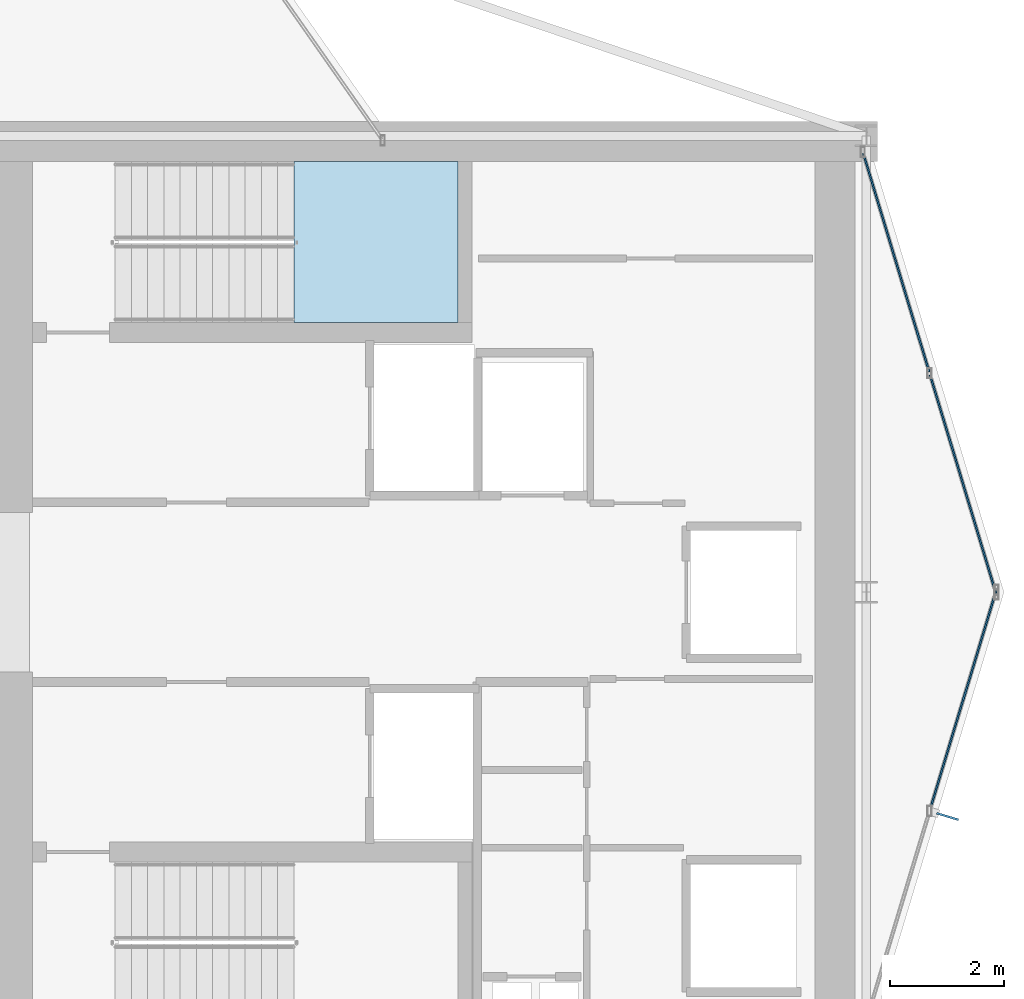
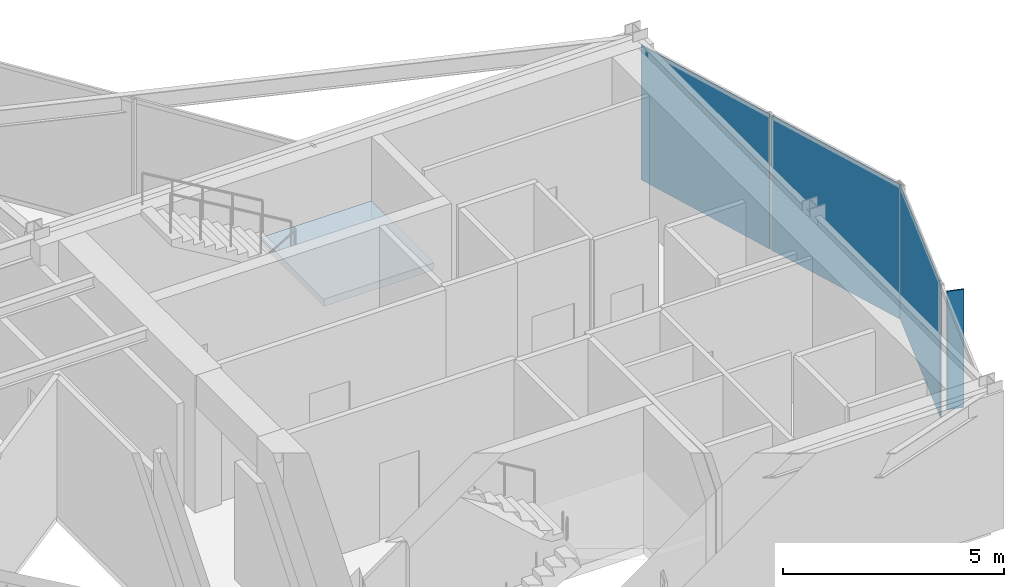
# One storey, part 20 of 24: 4 plates, 1 slab, 3 elements without a shape of their own.
"""IFC4 building model written with IfcOpenShell, lengths in metres."""

from ifc_helpers import new_model, si_unit, direction, frame, origin, origin_2d, place, context, subcontext, project, spatial, polyline, rectangle, outline, extrude, material, layer, layer_set, type_object, element, aggregate, save


model = new_model("IFC4")

# Units and contexts
model_context = context("Model", 3, precision=1e-05, world=origin(), true_north=direction((0.0, 1.0)))
body_context = subcontext(model_context, "Body", "Model", "MODEL_VIEW")
ifc_project = project(units=[si_unit("LENGTHUNIT", "METRE"), si_unit("AREAUNIT", "SQUARE_METRE"), si_unit("VOLUMEUNIT", "CUBIC_METRE"), si_unit("PLANEANGLEUNIT", "RADIAN"), si_unit("MASSUNIT", "GRAM", prefix="KILO")], contexts=[model_context])

# Site, building, storey
site_placement = place(None, origin())
site = spatial("IfcSite", under=ifc_project, at=site_placement, CompositionType="ELEMENT")
building_placement = place(site_placement, origin())
building = spatial("IfcBuilding", under=site, at=building_placement, Name="Veymaron Broadcast Tower", CompositionType="ELEMENT")
storey_placement = place(building_placement, frame((0.0, 0.0, 220.199951171875)))
storey = spatial("IfcBuildingStorey", under=building, at=storey_placement, Name="L51", CompositionType="ELEMENT", Elevation=220.199951171875)

# Curtain wall, plate
ifc_material_1 = material(Name="Anodised aluminium AA 6063-T6 and laminated low-E dark glass", Category="aluminium")
ifc_layer_1 = layer(ifc_material_1, 0.179931640625)
ifc_layer_set_1 = layer_set([ifc_layer_1], Name="Anodised aluminium AA 6063-T6 and laminated low-E dark glass")
curtain_wall_type = type_object("IfcCurtainWallType", Name="CW-SYS-05", PredefinedType="NOTDEFINED", material=ifc_layer_set_1)
curtain_wall_1_placement = place(storey_placement, origin())
curtain_wall_1 = element("IfcCurtainWall", 1, at=curtain_wall_1_placement, inside=storey, type_object=curtain_wall_type, Name="L51 dark-glass curtain wall CW-L51-E2-1", PredefinedType="NOTDEFINED")
ifc_material_2 = material(Name="Double-silver solar-control dark glass IGU 32 mm", Category="glass")
ifc_layer_2 = layer(ifc_material_2, 0.031982421875)
ifc_layer_set_2 = layer_set([ifc_layer_2], Name="Double-silver solar-control dark glass IGU 32 mm")
plate_type_1 = type_object("IfcPlateType", Name="CW-PNL-02", PredefinedType="CURTAIN_PANEL", material=ifc_layer_set_2)
plate_1_placement = place(storey_placement, frame((56.295654296875, 22.101318359375, 0.0400390625), z_axis=(0.0, 0.0, 1.0), x_axis=(0.288998380014, 0.957329586062, 0.0)))
plate_1 = element("IfcPlate", 2, at=plate_1_placement, type_object=plate_type_1, Name="CW-L51-E2-1 unitised curtain panel 1", PredefinedType="CURTAIN_PANEL", context=body_context, shape_type="SweptSolid", body=[
    extrude(rectangle(XDim=3.9912109375, YDim=0.031982421875, at=origin_2d()), origin(), (0.0, 0.0, 1.0), 3.7099609375),
])
aggregate(curtain_wall_1, [plate_1])

# Curtain wall, plates
curtain_wall_2_placement = place(storey_placement, origin())
curtain_wall_2 = element("IfcCurtainWall", 3, at=curtain_wall_2_placement, inside=storey, type_object=curtain_wall_type, Name="L51 dark-glass curtain wall CW-L51-E3-1", PredefinedType="NOTDEFINED")
plate_2_placement = place(storey_placement, frame((56.295654296875, 25.898681640625, 0.0400390625), z_axis=(0.0, 0.0, 1.0), x_axis=(-0.288998380014, 0.957329586062, 0.0)))
plate_2 = element("IfcPlate", 4, at=plate_2_placement, type_object=plate_type_1, Name="CW-L51-E3-1 unitised curtain panel 0", PredefinedType="CURTAIN_PANEL", context=body_context, shape_type="SweptSolid", body=[
    extrude(rectangle(XDim=3.9912109375, YDim=0.031982421875, at=origin_2d()), origin(), (0.0, 0.0, 1.0), 3.7099609375),
])
plate_3_placement = place(storey_placement, frame((55.125, 29.77685546875, 0.0400390625), z_axis=(0.0, 0.0, 1.0), x_axis=(-0.288998380014, 0.957329586062, 0.0)))
plate_3 = element("IfcPlate", 5, at=plate_3_placement, type_object=plate_type_1, Name="CW-L51-E3-1 unitised curtain panel 1", PredefinedType="CURTAIN_PANEL", context=body_context, shape_type="SweptSolid", body=[
    extrude(rectangle(XDim=3.9912109375, YDim=0.031982421875, at=origin_2d()), origin(), (0.0, 0.0, 1.0), 3.7099609375),
])
aggregate(curtain_wall_2, [plate_2, plate_3])

# Plate
ifc_material_3 = material(Name="Dark-anodised aluminium AA 6061-T6", Category="aluminium")
ifc_layer_3 = layer(ifc_material_3, 0.031982421875)
ifc_layer_set_3 = layer_set([ifc_layer_3], Name="Dark-anodised aluminium AA 6061-T6")
plate_type_2 = type_object("IfcPlateType", Name="FIN-CHEV-03", PredefinedType="USERDEFINED", material=ifc_layer_set_3)
plate_4_placement = place(storey_placement, frame((56.026123046875, 20.06689453125, 0.26513671875), z_axis=(0.0, 0.0, 1.0), x_axis=(0.957329586062, -0.288998380014, 0.0)))
element("IfcPlate", 6, at=plate_4_placement, inside=storey, type_object=plate_type_2, Name="CW-L51-E2-1 chevron fin 1", ObjectType="FIN", PredefinedType="USERDEFINED", context=body_context, shape_type="SweptSolid", body=[
    extrude(rectangle(XDim=0.39990234375, YDim=0.034912109375, at=origin_2d()), origin(), (0.0, 0.0, 1.0), 3.259521484375),
])

# Stair, slab
ifc_material_4 = material(Name="Concrete C50/60", Category="concrete")
stair_type = type_object("IfcStairType", Name="STAIR-CORE-1", PredefinedType="HALF_TURN_STAIR", material=ifc_material_4)
stair_placement = place(storey_placement, origin())
stair = element("IfcStair", 7, at=stair_placement, inside=storey, type_object=stair_type, Name="L51 North protected dog-leg exit stair ST1", PredefinedType="HALF_TURN_STAIR")
ifc_layer_4 = layer(ifc_material_4, 0.199951171875)
ifc_layer_set_4 = layer_set([ifc_layer_4], Name="Concrete C50/60")
slab_type = type_object("IfcSlabType", Name="SLAB-STAIR-LDG", PredefinedType="LANDING", material=ifc_layer_set_4)
slab_placement = place(storey_placement, frame((0.0, 0.0, 1.824951171875)))
slab = element("IfcSlab", 8, at=slab_placement, type_object=slab_type, Name="ST1 landing 1", PredefinedType="LANDING", context=body_context, shape_type="SweptSolid", body=[
    extrude(outline(polyline([(44.56494140625, 28.72998046875), (47.43994140625, 28.72998046875), (47.43994140625, 31.550048828125), (44.56494140625, 31.550048828125), (44.56494140625, 28.72998046875)])), origin(), (0.0, 0.0, 1.0), 0.2001953125),
])
aggregate(stair, [slab])

save(model, "model.ifc")
